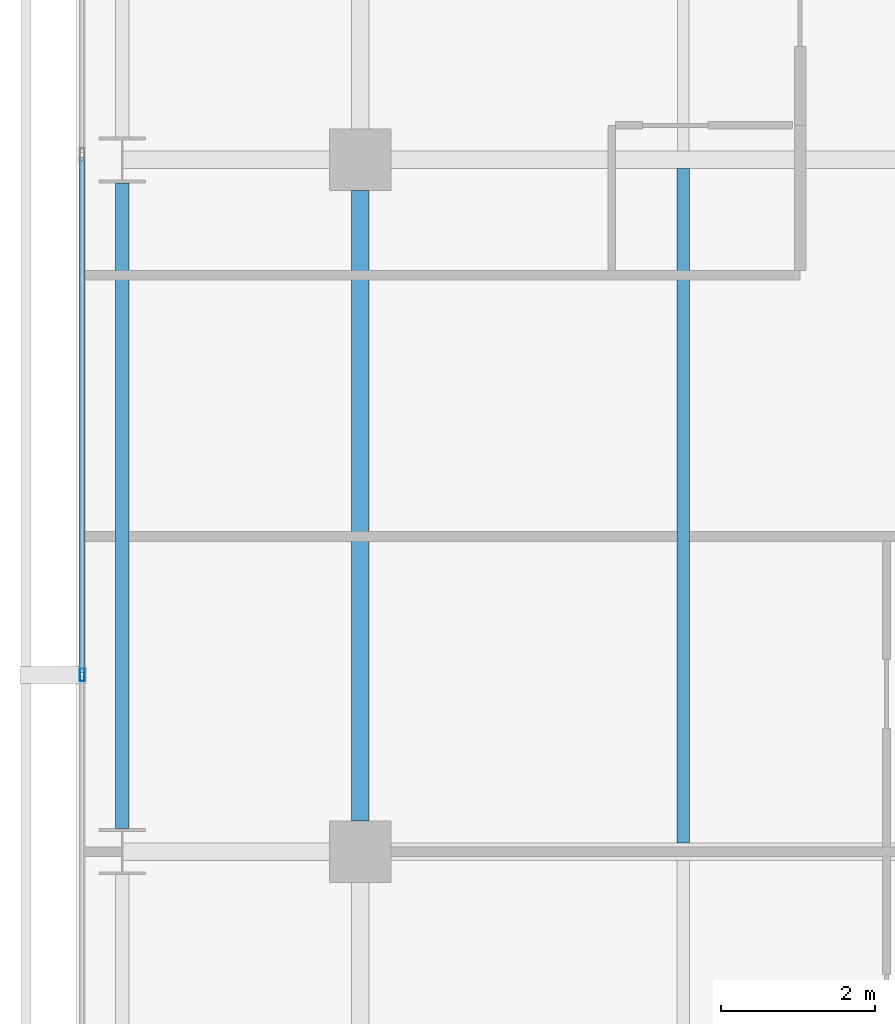
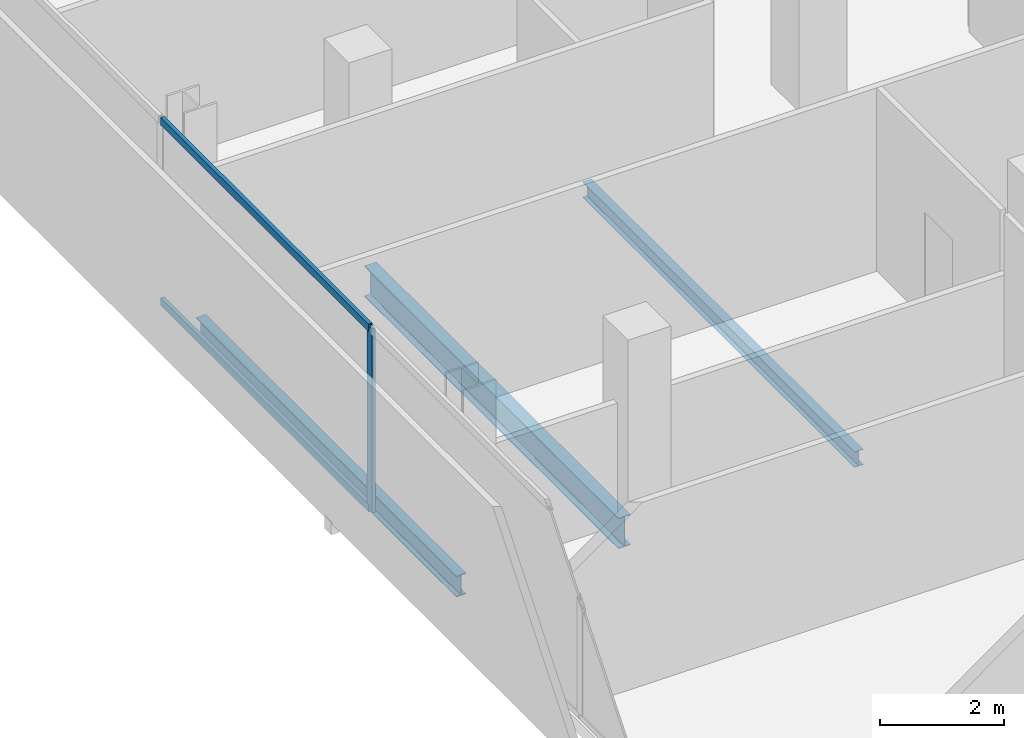
# One storey, part 10 of 34: 3 beams, 3 members, 1 element without a shape of its own.
"""IFC4 building model written with IfcOpenShell, lengths in metres."""

from ifc_helpers import new_model, si_unit, direction, frame, origin, origin_2d, place, context, subcontext, project, spatial, hollow_rectangle, i_section, extrude, material, layer, layer_set, material_profile, profile_set, type_object, element, aggregate, save


model = new_model("IFC4")

# Units and contexts
model_context = context("Model", 3, precision=1e-05, world=origin(), true_north=direction((0.0, 1.0)))
body_context = subcontext(model_context, "Body", "Model", "MODEL_VIEW")
ifc_project = project(units=[si_unit("LENGTHUNIT", "METRE"), si_unit("AREAUNIT", "SQUARE_METRE"), si_unit("VOLUMEUNIT", "CUBIC_METRE"), si_unit("PLANEANGLEUNIT", "RADIAN"), si_unit("MASSUNIT", "GRAM", prefix="KILO")], contexts=[model_context])

# Site, building, storey
site_placement = place(None, origin())
site = spatial("IfcSite", under=ifc_project, at=site_placement, CompositionType="ELEMENT")
building_placement = place(site_placement, origin())
building = spatial("IfcBuilding", under=site, at=building_placement, Name="Maruvema Waterfront Hotel and Observation Tower", CompositionType="ELEMENT")
storey_placement = place(building_placement, frame((0.0, 0.0, 173.60009765625)))
storey = spatial("IfcBuildingStorey", under=building, at=storey_placement, Name="L42", CompositionType="ELEMENT", Elevation=173.60009765625)

# Curtain wall, members
ifc_material_1 = material(Name="Anodised bronze aluminium and solar-control low-E IGU", Category="aluminium")
ifc_layer = layer(ifc_material_1, 0.159912109375, Name="Zone 2 Amber Inner Thermal Curtain Wall System CW-03")
ifc_layer_set = layer_set([ifc_layer], Name="Anodised bronze aluminium and solar-control low-E IGU")
curtain_wall_type = type_object("IfcCurtainWallType", Name="Zone 2 Amber Inner Thermal Curtain Wall System CW-03", PredefinedType="USERDEFINED", material=ifc_layer_set)
curtain_wall_placement = place(storey_placement, origin())
curtain_wall = element("IfcCurtainWall", 1, at=curtain_wall_placement, inside=storey, type_object=curtain_wall_type, Name="L42 Curtain Wall CW-L42-W", ObjectType="UNITISED CURTAIN WALL", PredefinedType="USERDEFINED")
ifc_material_2 = material(Name="Anodised architectural bronze aluminium", Category="aluminium")
ifc_material_profile_1 = material_profile(ifc_material_2, hollow_rectangle(XDim=0.070068359375, YDim=0.14990234375, WallThickness=0.00390625, at=origin_2d()), Name="ALU-T70x150")
ifc_profile_set_1 = profile_set([ifc_material_profile_1], Name="Anodised architectural bronze aluminium")
member_type_1 = type_object("IfcMemberType", Name="Curtain Wall Horizontal Transom ALU-T70x150", PredefinedType="USERDEFINED", material=ifc_profile_set_1)
member_1_placement = place(storey_placement, frame((13.179931640625, 36.03662109375, 0.02978515625), z_axis=(0.0, -1.0, 0.0), x_axis=(1.0, 0.0, 0.0)))
member_1 = element("IfcMember", 2, at=member_1_placement, type_object=member_type_1, Name="CW-03 transom 3.1", ObjectType="TRANSOM", PredefinedType="USERDEFINED", context=body_context, shape_type="SweptSolid", body=[
    extrude(hollow_rectangle(XDim=0.070068359375, YDim=0.14990234375, WallThickness=0.00390625, at=origin_2d()), origin(), (0.0, 0.0, 1.0), 6.70654296875),
])
member_2_placement = place(storey_placement, frame((13.179931640625, 36.03662109375, 3.579833984375), z_axis=(0.0, -1.0, 0.0), x_axis=(1.0, 0.0, 0.0)))
member_2 = element("IfcMember", 3, at=member_2_placement, type_object=member_type_1, Name="CW-03 transom 3.2", ObjectType="TRANSOM", PredefinedType="USERDEFINED", context=body_context, shape_type="SweptSolid", body=[
    extrude(hollow_rectangle(XDim=0.070068359375, YDim=0.14990234375, WallThickness=0.00390625, at=origin_2d()), origin(), (0.0, 0.0, 1.0), 6.70654296875),
])
ifc_material_3 = material(Name="Anodised architectural bronze aluminium", Category="aluminium")
ifc_material_profile_2 = material_profile(ifc_material_3, hollow_rectangle(XDim=0.06494140625, YDim=0.1650390625, WallThickness=0.00390625, at=origin_2d()), Name="ALU-M65x165")
ifc_profile_set_2 = profile_set([ifc_material_profile_2], Name="Anodised architectural bronze aluminium")
member_type_2 = type_object("IfcMemberType", Name="Curtain Wall Primary Mullion ALU-M65x165", PredefinedType="MULLION", material=ifc_profile_set_2)
member_3_placement = place(storey_placement, frame((13.179931640625, 29.300048828125, 0.0), z_axis=(0.0, 0.0, 1.0), x_axis=(1.0, 0.0, 0.0)))
member_3 = element("IfcMember", 4, at=member_3_placement, type_object=member_type_2, Name="CW-03 mullion 4", PredefinedType="MULLION", context=body_context, shape_type="SweptSolid", body=[
    extrude(hollow_rectangle(XDim=0.06494140625, YDim=0.1650390625, WallThickness=0.00390625, at=origin_2d()), origin(), (0.0, 0.0, 1.0), 3.60986328125),
])
aggregate(curtain_wall, [member_3, member_1, member_2])

# Beams
ifc_material_4 = material(Name="Steel ASTM A572 Grade 50", Category="steel")
ifc_material_profile_3 = material_profile(ifc_material_4, i_section(OverallWidth=0.180908203125, OverallDepth=0.4169921875, WebThickness=0.010986328125, FlangeThickness=0.018310546875, FilletRadius=0.014892578125, at=origin_2d()), Name="W410x85.0")
ifc_profile_set_3 = profile_set([ifc_material_profile_3], Name="Steel ASTM A572 Grade 50")
beam_type_1 = type_object("IfcBeamType", Name="Perimeter Spandrel Beam W410x85.0", PredefinedType="SPANDREL", material=ifc_profile_set_3)
beam_1_placement = place(storey_placement, frame((13.699951171875, 27.300048828125, -0.448486328125), z_axis=(0.0, 1.0, 0.0), x_axis=(-1.0, 0.0, 0.0)))
element("IfcBeam", 5, at=beam_1_placement, inside=storey, type_object=beam_type_1, Name="L42 Floor Girder NS-03", PredefinedType="SPANDREL", context=body_context, shape_type="SweptSolid", body=[
    extrude(i_section(OverallWidth=0.180908203125, OverallDepth=0.4169921875, WebThickness=0.010986328125, FlangeThickness=0.018310546875, FilletRadius=0.014892578125, at=origin_2d()), origin(), (0.0, 0.0, 1.0), 8.39990234375),
])
ifc_material_5 = material(Name="Steel ASTM A572 Grade 50", Category="steel")
ifc_material_profile_4 = material_profile(ifc_material_5, i_section(OverallWidth=0.22802734375, OverallDepth=0.60302734375, WebThickness=0.010498046875, FlangeThickness=0.014892578125, FilletRadius=0.01806640625, at=origin_2d()), Name="W610x101.0")
ifc_profile_set_4 = profile_set([ifc_material_profile_4], Name="Steel ASTM A572 Grade 50")
beam_type_2 = type_object("IfcBeamType", Name="Primary Floor Girder W610x101.0", PredefinedType="BEAM", material=ifc_profile_set_4)
beam_2_placement = place(storey_placement, frame((16.800048828125, 27.39990234375, -0.54150390625), z_axis=(0.0, 1.0, 0.0), x_axis=(-1.0, 0.0, 0.0)))
element("IfcBeam", 6, at=beam_2_placement, inside=storey, type_object=beam_type_2, Name="L42 Floor Girder NS-07", PredefinedType="BEAM", context=body_context, shape_type="SweptSolid", body=[
    extrude(i_section(OverallWidth=0.22802734375, OverallDepth=0.60302734375, WebThickness=0.010498046875, FlangeThickness=0.014892578125, FilletRadius=0.01806640625, at=origin_2d()), origin(), (0.0, 0.0, 1.0), 8.2001953125),
])
ifc_material_6 = material(Name="Steel ASTM A572 Grade 50", Category="steel")
ifc_material_profile_5 = material_profile(ifc_material_6, i_section(OverallWidth=0.1650390625, OverallDepth=0.31005859375, WebThickness=0.005859375, FlangeThickness=0.009765625, FilletRadius=0.012939453125, at=origin_2d()), Name="W310x38.7")
ifc_profile_set_5 = profile_set([ifc_material_profile_5], Name="Steel ASTM A572 Grade 50")
beam_type_3 = type_object("IfcBeamType", Name="Secondary Floor Joist W310x38.7", PredefinedType="JOIST", material=ifc_profile_set_5)
beam_3_placement = place(storey_placement, frame((21.0, 27.114013671875, -0.39501953125), z_axis=(0.0, 1.0, 0.0), x_axis=(-1.0, 0.0, 0.0)))
element("IfcBeam", 7, at=beam_3_placement, inside=storey, type_object=beam_type_3, Name="L42 Secondary Floor Joist JS-03", PredefinedType="JOIST", context=body_context, shape_type="SweptSolid", body=[
    extrude(i_section(OverallWidth=0.1650390625, OverallDepth=0.31005859375, WebThickness=0.005859375, FlangeThickness=0.009765625, FilletRadius=0.012939453125, at=origin_2d()), origin(), (0.0, 0.0, 1.0), 8.77197265625),
])

save(model, "model.ifc")
